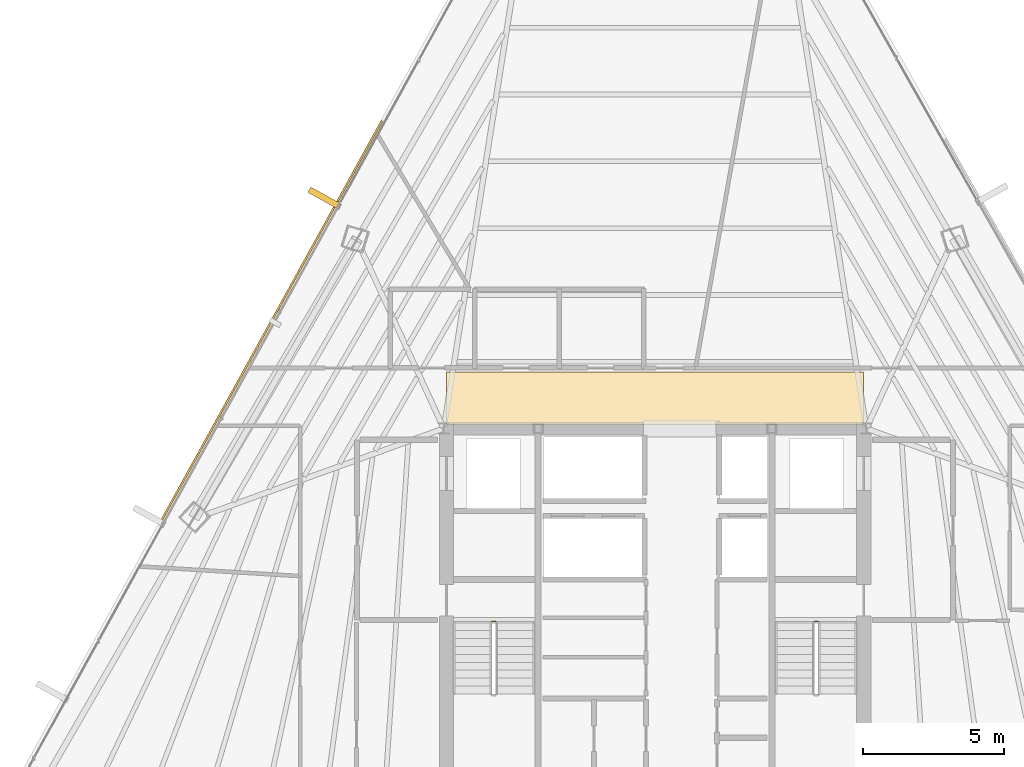
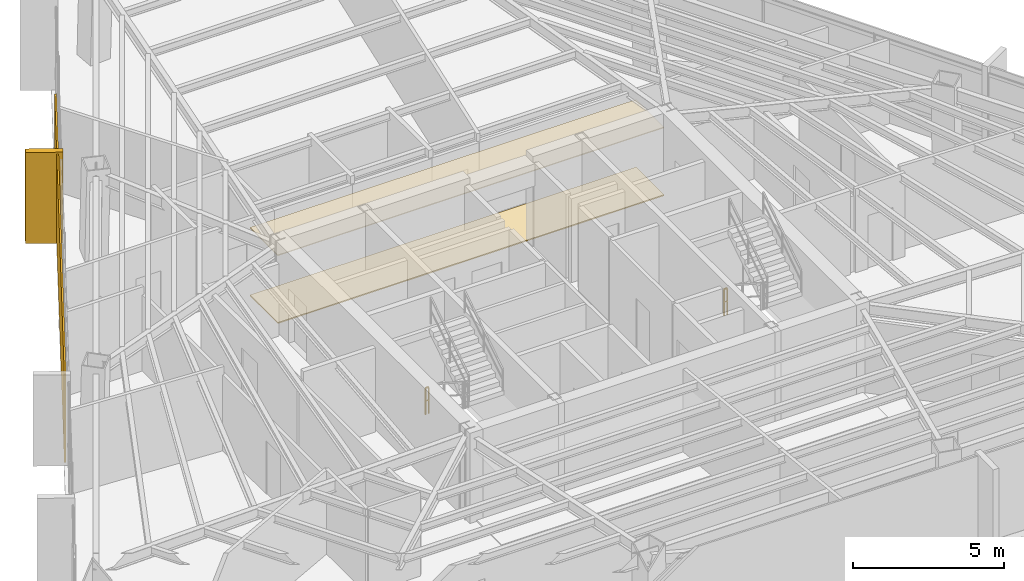
# One storey, part 40 of 41: 3 coverings, 2 railings, 1 shading device.
"""IFC4 building model written with IfcOpenShell, lengths in metres."""

from ifc_helpers import new_model, si_unit, direction, frame, origin, origin_2d, place, context, subcontext, project, spatial, polyline, rectangle, outline, extrude, source, transform, mapped, material, layer, layer_set, type_object, type_shapes, element, save


model = new_model("IFC4")

# Units and contexts
model_context = context("Model", 3, precision=1e-05, world=origin(), true_north=direction((0.0, 1.0)))
body_context = subcontext(model_context, "Body", "Model", "MODEL_VIEW")
ifc_project = project(units=[si_unit("LENGTHUNIT", "METRE"), si_unit("AREAUNIT", "SQUARE_METRE"), si_unit("VOLUMEUNIT", "CUBIC_METRE"), si_unit("PLANEANGLEUNIT", "RADIAN"), si_unit("MASSUNIT", "GRAM", prefix="KILO")], contexts=[model_context])

# Site, building, storey
site_placement = place(None, origin())
site = spatial("IfcSite", under=ifc_project, at=site_placement, CompositionType="ELEMENT")
building_placement = place(site_placement, origin())
building = spatial("IfcBuilding", under=site, at=building_placement, Name="Caelisora Broadcast Tower", CompositionType="ELEMENT")
storey_placement = place(building_placement, frame((0.0, 0.0, 209.60009765625)))
storey = spatial("IfcBuildingStorey", under=building, at=storey_placement, Name="L55", CompositionType="ELEMENT", Elevation=209.60009765625)

# Coverings
ifc_material_1 = material(Name="Perforated Mineral-Fibre Acoustic Ceiling Tile", Category="gypsum")
ifc_layer_1 = layer(ifc_material_1, 0.034912109375, Name="Perforated Mineral-Fibre Acoustic Ceiling Tile")
ifc_layer_set_1 = layer_set([ifc_layer_1], Name="Perforated Mineral-Fibre Acoustic Ceiling Tile")
covering_type_1 = type_object("IfcCoveringType", Name="CE-1", PredefinedType="CEILING", material=ifc_layer_set_1)
covering_1_placement = place(storey_placement, frame((0.0, 0.0, 2.75)))
element("IfcCovering", 1, at=covering_1_placement, inside=storey, type_object=covering_type_1, Name="L55 acoustic corridor ceiling CE-1 (N)", PredefinedType="CEILING", context=body_context, shape_type="SweptSolid", body=[
    extrude(outline(polyline([(30.60009765625, 30.14990234375), (45.39990234375, 30.14990234375), (45.39990234375, 32.0), (30.60009765625, 32.0), (30.60009765625, 30.14990234375)])), origin(), (0.0, 0.0, 1.0), 0.034912109375),
])
ifc_material_2 = material(Name="Anti-Static Broadcast Raised Access Floor Panel", Category="steel")
ifc_layer_2 = layer(ifc_material_2, 0.044921875, Name="Anti-Static Broadcast Raised Access Floor Panel")
ifc_layer_set_2 = layer_set([ifc_layer_2], Name="Anti-Static Broadcast Raised Access Floor Panel")
covering_type_2 = type_object("IfcCoveringType", Name="FL-1", PredefinedType="FLOORING", material=ifc_layer_set_2)
covering_2_placement = place(storey_placement, origin())
element("IfcCovering", 2, at=covering_2_placement, inside=storey, type_object=covering_type_2, Name="L55 broadcast raised access floor FL-1 (N)", PredefinedType="FLOORING", context=body_context, shape_type="SweptSolid", body=[
    extrude(outline(polyline([(30.60009765625, 30.14990234375), (45.39990234375, 30.14990234375), (45.39990234375, 32.0), (30.60009765625, 32.0), (30.60009765625, 30.14990234375)])), origin(), (0.0, 0.0, 1.0), 0.044921875),
])

# Railings
ifc_material_3 = material(Name="Galvanised Steel Safety Guardrail", Category="steel")
ifc_layer_3 = layer(ifc_material_3, 0.048095703125, Name="Galvanised Steel Safety Guardrail")
ifc_layer_set_3 = layer_set([ifc_layer_3], Name="Galvanised Steel Safety Guardrail")
railing_type = type_object("IfcRailingType", Name="GR-1", PredefinedType="GUARDRAIL", material=ifc_layer_set_3)
for number, where, name in (
    (3, (32.219970703125, 23.14990234375, 0.0), "L55 ST-1 stair guard 4"),
    (4, (43.659912109375, 23.14990234375, 0.0), "L55 ST-2 stair guard 4"),
):
    element("IfcRailing", number, at=place(storey_placement, frame(where)), inside=storey, type_object=railing_type, Name=name, PredefinedType="GUARDRAIL", context=body_context, shape_type="SweptSolid", body=[
        extrude(rectangle(XDim=0.048095703125, YDim=0.048095703125, at=origin_2d()), frame((0.0, 0.0, 1.076171875), z_axis=(1.0, 0.0, 0.0), x_axis=(0.0, 1.0, 0.0)), (0.0, 0.0, 1.0), 0.1201171875),
        extrude(rectangle(XDim=0.03125, YDim=0.03125, at=origin_2d()), frame((0.0, 0.0, 0.550048828125), z_axis=(1.0, 0.0, 0.0), x_axis=(0.0, 1.0, 0.0)), (0.0, 0.0, 1.0), 0.1201171875),
        extrude(rectangle(XDim=0.0419921875, YDim=0.0419921875, at=origin_2d()), origin(), (0.0, 0.0, 1.0), 1.052001953125),
        extrude(rectangle(XDim=0.0419921875, YDim=0.0419921875, at=origin_2d()), frame((0.1201171875, 0.0, 0.0)), (0.0, 0.0, 1.0), 1.052001953125),
    ])

# Covering
ifc_material_4 = material(Name="Kiln-Fired Terracotta Spandrel Rainscreen Cladding", Category="ceramic")
ifc_layer_4 = layer(ifc_material_4, 0.044921875, Name="Kiln-Fired Terracotta Spandrel Rainscreen Cladding")
ifc_layer_set_4 = layer_set([ifc_layer_4], Name="Kiln-Fired Terracotta Spandrel Rainscreen Cladding")
covering_type_3 = type_object("IfcCoveringType", Name="CL-1", PredefinedType="CLADDING", material=ifc_layer_set_4)
shared_shape_1 = source(origin(), body_context, "Body", "SweptSolid", [
    extrude(rectangle(XDim=0.219970703125, YDim=1.25, at=origin_2d()), origin(), (0.0, 0.0, 1.0), 3.68994140625),
])
type_shapes(covering_type_3, [shared_shape_1])
covering_3_placement = place(storey_placement, frame((26.27294921875, 38.175048828125, -0.02001953125), z_axis=(0.0, 0.0, 1.0), x_axis=(0.482976759048, 0.875633171036, 0.0)))
element("IfcCovering", 5, at=covering_3_placement, inside=storey, type_object=covering_type_3, Name="L55 vertical solar fin cladding #3-3", PredefinedType="CLADDING", context=body_context, shape_type="MappedRepresentation", body=[
    mapped(shared_shape_1, transform((0.0, 0.0, 0.0), scale=1.0)),
])

# Shading device
ifc_material_5 = material(Name="Perforated Glazed Terracotta Baguette Solar Screen", Category="ceramic")
ifc_layer_5 = layer(ifc_material_5, 0.06494140625, Name="Perforated Glazed Terracotta Baguette Solar Screen")
ifc_layer_set_5 = layer_set([ifc_layer_5], Name="Perforated Glazed Terracotta Baguette Solar Screen")
shading_device_type = type_object("IfcShadingDeviceType", Name="SS-1", PredefinedType="USERDEFINED", material=ifc_layer_set_5)
shared_shape_2 = source(origin(), body_context, "Body", "SweptSolid", [
    extrude(rectangle(XDim=16.2119140625, YDim=0.06494140625, at=origin_2d()), origin(), (0.0, 0.0, 1.0), 3.590087890625),
])
type_shapes(shading_device_type, [shared_shape_2])
shading_device_placement = place(storey_placement, frame((24.388427734375, 33.8271484375, 0.0), z_axis=(0.0, 0.0, 1.0), x_axis=(-0.482976759048, -0.875633171036, 0.0)))
element("IfcShadingDevice", 6, at=shading_device_placement, inside=storey, type_object=shading_device_type, Name="L55 perforated terracotta solar screen #1", ObjectType="SOLAR SCREEN", PredefinedType="USERDEFINED", context=body_context, shape_type="MappedRepresentation", body=[
    mapped(shared_shape_2, transform((0.0, 0.0, 0.0), scale=1.0)),
])

save(model, "model.ifc")
